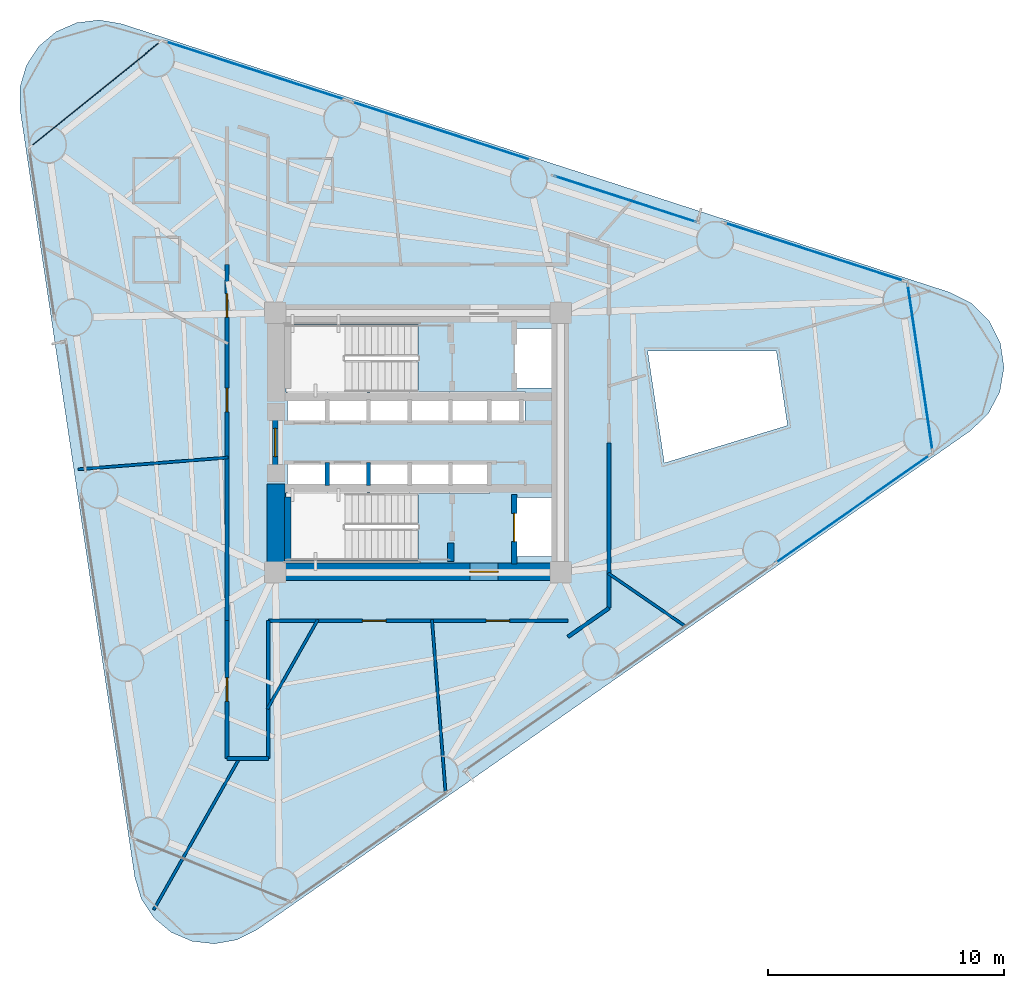
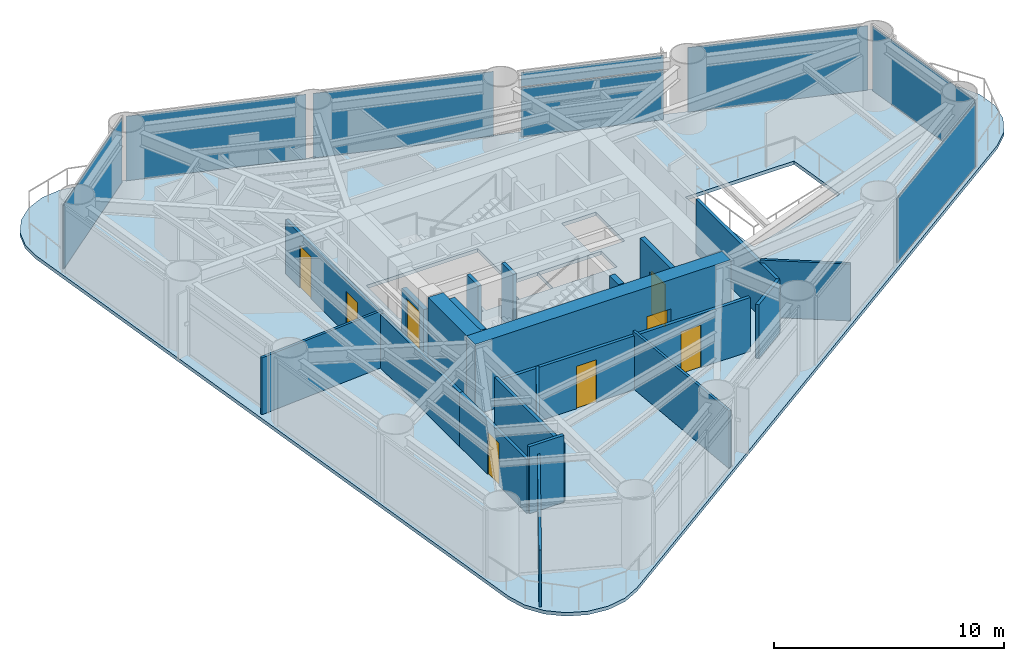
# One storey, part 5 of 9: 20 walls, 8 doors, 8 plates, 1 slab, 8 openings, 7 elements without a shape of their own.
"""IFC4 building model written with IfcOpenShell, lengths in metres."""

from ifc_helpers import new_model, si_unit, direction, frame, frame_2d, origin, origin_2d, place, context, subcontext, project, spatial, polyline, rectangle, outline, extrude, source, transform, mapped, material, layer, layer_set, type_object, element, fill, aggregate, save


model = new_model("IFC4")

# Units and contexts
model_context = context("Model", 3, precision=1e-05, world=origin(), true_north=direction((0.0, 1.0)))
body_context = subcontext(model_context, "Body", "Model", "MODEL_VIEW")
ifc_project = project(units=[si_unit("LENGTHUNIT", "METRE"), si_unit("AREAUNIT", "SQUARE_METRE"), si_unit("VOLUMEUNIT", "CUBIC_METRE"), si_unit("PLANEANGLEUNIT", "RADIAN"), si_unit("MASSUNIT", "GRAM", prefix="KILO")], contexts=[model_context])

# Site, building, storey
site_placement = place(None, origin())
site = spatial("IfcSite", under=ifc_project, at=site_placement, CompositionType="ELEMENT")
building_placement = place(site_placement, origin())
building = spatial("IfcBuilding", under=site, at=building_placement, Name="Yunling Apex Tower", CompositionType="ELEMENT")
storey_placement = place(building_placement, frame((0.0, 0.0, 69.800048828125)))
storey = spatial("IfcBuildingStorey", under=building, at=storey_placement, Name="L18", CompositionType="ELEMENT", Elevation=69.800048828125)

# Slab
ifc_material_1 = material(Name="Concrete C40", Category="concrete")
ifc_layer_1 = layer(ifc_material_1, 0.179931640625)
ifc_layer_set_1 = layer_set([ifc_layer_1], Name="Concrete C40")
slab_type = type_object("IfcSlabType", Name="SL-FLR-1", PredefinedType="FLOOR", material=ifc_layer_set_1)
slab_placement = place(storey_placement, frame((0.0, 0.0, -0.18505859375)))
element("IfcSlab", 1, at=slab_placement, inside=storey, type_object=slab_type, Name="L18 Composite Tower Floor Slab", PredefinedType="FLOOR", context=body_context, shape_type="SweptSolid", body=[
    extrude(outline(polyline([(-12.00732421875, -18.4326171875), (-11.730224609375, -19.349365234375), (-11.202392578125, -20.1484375), (-10.467529296875, -20.7626953125), (-9.587646484375, -21.14111328125), (-8.636474609375, -21.251708984375), (-7.693115234375, -21.08544921875), (-6.837158203125, -20.656005859375), (23.428955078125, 0.50537109375), (24.1796875, 1.231201171875), (24.6669921875, 2.155029296875), (24.842041015625, 3.184814453125), (24.687744140625, 4.217529296875), (24.21923828125, 5.15087890625), (23.483154296875, 5.89208984375), (22.552978515625, 6.36669921875), (-12.57763671875, 17.75439453125), (-13.521728515625, 17.914794921875), (-14.472412109375, 17.798095703125), (-15.349853515625, 17.414306640625), (-16.080810546875, 16.795166015625), (-16.603515625, 15.992919921875), (-16.875, 15.07421875), (-16.871826171875, 14.116455078125), (-12.00732421875, -18.4326171875)]), holes=[polyline([(15.192138671875, 3.88818359375), (15.6650390625, 0.723388671875), (10.442626953125, -0.865966796875), (9.733154296875, 3.88134765625), (15.192138671875, 3.88818359375)]), polyline([(5.81005859375, -2.320068359375), (5.81005859375, -4.840087890625), (4.090087890625, -4.840087890625), (4.090087890625, -2.320068359375), (5.81005859375, -2.320068359375)]), polyline([(5.81005859375, 4.840087890625), (5.81005859375, 2.320068359375), (4.090087890625, 2.320068359375), (4.090087890625, 4.840087890625), (5.81005859375, 4.840087890625)]), polyline([(4.534912109375, 0.794921875), (1.364990234375, 0.794921875), (1.364990234375, 2.1650390625), (4.534912109375, 2.1650390625), (4.534912109375, 0.794921875)]), polyline([(3.034912109375, -0.794921875), (3.034912109375, -2.1650390625), (1.364990234375, -2.1650390625), (1.364990234375, -0.794921875), (3.034912109375, -0.794921875)]), polyline([(-3.864990234375, -0.794921875), (-3.864990234375, -2.139892578125), (-3.8349609375, -2.139892578125), (-3.8349609375, -0.794921875), (-2.1650390625, -0.794921875), (-2.1650390625, -2.139892578125), (-2.034912109375, -2.139892578125), (-2.034912109375, -0.794921875), (-0.364990234375, -0.794921875), (-0.364990234375, -2.139892578125), (-0.3349609375, -2.139892578125), (-0.3349609375, -0.794921875), (1.3349609375, -0.794921875), (1.3349609375, -2.1650390625), (-0.010009765625, -2.1650390625), (-0.010009765625, -5.010009765625), (-5.60009765625, -5.010009765625), (-5.60009765625, -2.139892578125), (-5.534912109375, -2.139892578125), (-5.534912109375, -0.794921875), (-3.864990234375, -0.794921875)]), polyline([(-5.60009765625, 2.139892578125), (-5.60009765625, 5.010009765625), (-0.010009765625, 5.010009765625), (-0.010009765625, 2.1650390625), (1.3349609375, 2.1650390625), (1.3349609375, 0.794921875), (-0.3349609375, 0.794921875), (-0.3349609375, 2.139892578125), (-0.364990234375, 2.139892578125), (-0.364990234375, 0.794921875), (-2.034912109375, 0.794921875), (-2.034912109375, 2.139892578125), (-2.1650390625, 2.139892578125), (-2.1650390625, 0.794921875), (-3.8349609375, 0.794921875), (-3.8349609375, 2.139892578125), (-3.864990234375, 2.139892578125), (-3.864990234375, 0.794921875), (-5.534912109375, 0.794921875), (-5.534912109375, 2.139892578125), (-5.60009765625, 2.139892578125)])]), origin(), (0.0, 0.0, 1.0), 0.18505859375),
])

# Curtain wall, plates
ifc_material_2 = material(Name="Bronze anodised aluminium", Category="aluminium")
ifc_layer_2 = layer(ifc_material_2, 0.260009765625)
ifc_layer_set_2 = layer_set([ifc_layer_2], Name="Bronze anodised aluminium")
curtain_wall_type = type_object("IfcCurtainWallType", Name="CW-SYS-2", PredefinedType="NOTDEFINED", material=ifc_layer_set_2)
curtain_wall_1_placement = place(storey_placement, origin())
curtain_wall_1 = element("IfcCurtainWall", 2, at=curtain_wall_1_placement, inside=storey, type_object=curtain_wall_type, Name="CW-L18-F2-B2", PredefinedType="NOTDEFINED")
ifc_material_3 = material(Name="Bronze tinted low-E glass", Category="glass")
ifc_layer_3 = layer(ifc_material_3, 0.033935546875)
ifc_layer_set_3 = layer_set([ifc_layer_3], Name="Bronze tinted low-E glass")
plate_type = type_object("IfcPlateType", Name="CW-PNL-2", PredefinedType="CURTAIN_PANEL", material=ifc_layer_set_3)
shared_shape_1 = source(origin(), body_context, "Body", "SweptSolid", [
    extrude(rectangle(XDim=6.315673828125, YDim=0.033935546875, at=origin_2d()), origin(), (0.0, 0.0, 1.0), 2.60400390625),
])
plate_1_placement = place(storey_placement, frame((8.7919921875, 10.32275390625, 0.07666015625), z_axis=(0.0, 0.0, 1.0), x_axis=(-0.951272336999, 0.308351975608, 0.0)))
plate_1 = element("IfcPlate", 3, at=plate_1_placement, type_object=plate_type, Name="CW-SYS-2 panel 1.1", PredefinedType="CURTAIN_PANEL", context=body_context, shape_type="MappedRepresentation", body=[
    mapped(shared_shape_1, transform((0.0, 0.0, 0.0), scale=1.0)),
])
shared_shape_2 = source(origin(), body_context, "Body", "SweptSolid", [
    extrude(rectangle(XDim=6.315673828125, YDim=0.033935546875, at=origin_2d()), origin(), (0.0, 0.0, 1.0), 0.739013671875),
])
plate_2_placement = place(storey_placement, frame((8.7919921875, 10.32275390625, 2.7490234375), z_axis=(0.0, 0.0, 1.0), x_axis=(-0.951272336999, 0.308351975608, 0.0)))
plate_2 = element("IfcPlate", 4, at=plate_2_placement, type_object=plate_type, Name="CW-SYS-2 panel 1.2", PredefinedType="CURTAIN_PANEL", context=body_context, shape_type="MappedRepresentation", body=[
    mapped(shared_shape_2, transform((0.0, 0.0, 0.0), scale=1.0)),
])
aggregate(curtain_wall_1, [plate_1, plate_2])

# Curtain wall, plate
curtain_wall_2_placement = place(storey_placement, origin())
curtain_wall_2 = element("IfcCurtainWall", 5, at=curtain_wall_2_placement, inside=storey, type_object=curtain_wall_type, Name="CW-L18-F1-B4", PredefinedType="NOTDEFINED")
shared_shape_3 = source(origin(), body_context, "Body", "SweptSolid", [
    extrude(rectangle(XDim=7.995849609375, YDim=0.033935546875, at=origin_2d()), origin(), (0.0, 0.0, 1.0), 3.41162109375),
])
plate_3_placement = place(storey_placement, frame((18.430419921875, -2.818603515625, 0.07666015625), z_axis=(0.0, 0.0, 1.0), x_axis=(0.819552319691, 0.573004358875, 0.0)))
plate_3 = element("IfcPlate", 6, at=plate_3_placement, type_object=plate_type, Name="CW-SYS-2 panel 1.1", PredefinedType="CURTAIN_PANEL", context=body_context, shape_type="MappedRepresentation", body=[
    mapped(shared_shape_3, transform((0.0, 0.0, 0.0), scale=1.0)),
])
aggregate(curtain_wall_2, [plate_3])

curtain_wall_3_placement = place(storey_placement, origin())
curtain_wall_3 = element("IfcCurtainWall", 7, at=curtain_wall_3_placement, inside=storey, type_object=curtain_wall_type, Name="CW-L18-F2-B1", PredefinedType="NOTDEFINED")
plate_4_placement = place(storey_placement, frame((16.801025390625, 8.083984375, 0.07666015625), z_axis=(0.0, 0.0, 1.0), x_axis=(-0.951270593784, 0.30835735341, 0.0)))
plate_4 = element("IfcPlate", 8, at=plate_4_placement, type_object=plate_type, Name="CW-SYS-2 panel 1.1", PredefinedType="CURTAIN_PANEL", context=body_context, shape_type="MappedRepresentation", body=[
    mapped(shared_shape_3, transform((0.0, 0.0, 0.0), scale=1.0)),
])
aggregate(curtain_wall_3, [plate_4])

curtain_wall_4_placement = place(storey_placement, origin())
curtain_wall_4 = element("IfcCurtainWall", 9, at=curtain_wall_4_placement, inside=storey, type_object=curtain_wall_type, Name="CW-L18-F2-B3", PredefinedType="NOTDEFINED")
plate_5_placement = place(storey_placement, frame((0.9921875, 13.20849609375, 0.07666015625), z_axis=(0.0, 0.0, 1.0), x_axis=(-0.951266994272, 0.308368457544, 0.0)))
plate_5 = element("IfcPlate", 10, at=plate_5_placement, type_object=plate_type, Name="CW-SYS-2 panel 1.1", PredefinedType="CURTAIN_PANEL", context=body_context, shape_type="MappedRepresentation", body=[
    mapped(shared_shape_3, transform((0.0, 0.0, 0.0), scale=1.0)),
])
aggregate(curtain_wall_4, [plate_5])

curtain_wall_5_placement = place(storey_placement, origin())
curtain_wall_5 = element("IfcCurtainWall", 11, at=curtain_wall_5_placement, inside=storey, type_object=curtain_wall_type, Name="CW-L18-F2-B4", PredefinedType="NOTDEFINED")
plate_6_placement = place(storey_placement, frame((-6.912109375, 15.770751953125, 0.07666015625), z_axis=(0.0, 0.0, 1.0), x_axis=(-0.951270593784, 0.30835735341, 0.0)))
plate_6 = element("IfcPlate", 12, at=plate_6_placement, type_object=plate_type, Name="CW-SYS-2 panel 1.1", PredefinedType="CURTAIN_PANEL", context=body_context, shape_type="MappedRepresentation", body=[
    mapped(shared_shape_3, transform((0.0, 0.0, 0.0), scale=1.0)),
])
aggregate(curtain_wall_5, [plate_6])

curtain_wall_6_placement = place(storey_placement, origin())
curtain_wall_6 = element("IfcCurtainWall", 13, at=curtain_wall_6_placement, inside=storey, type_object=curtain_wall_type, Name="CW-L18-CRN1", PredefinedType="NOTDEFINED")
shared_shape_4 = source(origin(), body_context, "Body", "SweptSolid", [
    extrude(rectangle(XDim=7.132080078125, YDim=0.033935546875, at=origin_2d()), origin(), (0.0, 0.0, 1.0), 3.41162109375),
])
plate_7_placement = place(storey_placement, frame((21.28564453125, 3.18115234375, 0.07666015625), z_axis=(0.0, 0.0, 1.0), x_axis=(-0.147798115278, 0.989017551472, 0.0)))
plate_7 = element("IfcPlate", 14, at=plate_7_placement, type_object=plate_type, Name="CW-SYS-2 panel 1.1", PredefinedType="CURTAIN_PANEL", context=body_context, shape_type="MappedRepresentation", body=[
    mapped(shared_shape_4, transform((0.0, 0.0, 0.0), scale=1.0)),
])
aggregate(curtain_wall_6, [plate_7])

curtain_wall_7_placement = place(storey_placement, origin())
curtain_wall_7 = element("IfcCurtainWall", 15, at=curtain_wall_7_placement, inside=storey, type_object=curtain_wall_type, Name="CW-L18-CRN2", PredefinedType="NOTDEFINED")
shared_shape_5 = source(origin(), body_context, "Body", "SweptSolid", [
    extrude(rectangle(XDim=7.043212890625, YDim=0.033935546875, at=origin_2d()), origin(), (0.0, 0.0, 1.0), 3.41162109375),
])
plate_8_placement = place(storey_placement, frame((-13.67041015625, 14.772705078125, 0.07666015625), z_axis=(0.0, 0.0, 1.0), x_axis=(-0.778148820322, -0.628079941911, 0.0)))
plate_8 = element("IfcPlate", 16, at=plate_8_placement, type_object=plate_type, Name="CW-SYS-2 panel 1.1", PredefinedType="CURTAIN_PANEL", context=body_context, shape_type="MappedRepresentation", body=[
    mapped(shared_shape_5, transform((0.0, 0.0, 0.0), scale=1.0)),
])
aggregate(curtain_wall_7, [plate_8])

# Wall, opening, door
ifc_material_4 = material(Name="Concrete C60", Category="concrete")
ifc_layer_4 = layer(ifc_material_4, 0.75)
ifc_layer_set_4 = layer_set([ifc_layer_4], Name="Concrete C60")
wall_type_1 = type_object("IfcWallType", Name="WL-COR-1", PredefinedType="SHEAR", material=ifc_layer_set_4)
wall_1_placement = place(storey_placement, frame((-6.39990234375, -5.47509765625, 0.0), z_axis=(0.0, 0.0, 1.0), x_axis=(1.0, 0.0, 0.0)))
wall_1 = element("IfcWall", 17, at=wall_1_placement, inside=storey, type_object=wall_type_1, Name="L18 South Core Shear Wall", PredefinedType="SHEAR", context=body_context, shape_type="SweptSolid", body=[
    extrude(rectangle(XDim=12.7998046875, YDim=0.75, at=frame_2d((6.39990234375, 0.0))), origin(), (0.0, 0.0, 1.0), 3.75),
])
opening_1_placement = place(wall_1_placement, frame((8.60009765625, 0.0, 0.0)))
opening_1 = element("IfcOpeningElement", 18, at=opening_1_placement, cuts=wall_1, Name="Opening DR-FFL-1", PredefinedType="OPENING", context=body_context, shape_type="SweptSolid", body=[
    extrude(rectangle(XDim=1.199951171875, YDim=2.199951171875, at=frame_2d((0.60009765625, 1.10009765625))), frame((0.0, 0.385009765625, 0.0), z_axis=(0.0, -1.0, 0.0), x_axis=(1.0, 0.0, 0.0)), (0.0, 0.0, 1.0), 0.77001953125),
])
ifc_material_5 = material(Name="Steel Q355B", Category="steel")
door_type_1 = type_object("IfcDoorType", Name="DR-FFL-1", OperationType="NOTDEFINED", PredefinedType="DOOR", material=ifc_material_5)
door_1_placement = place(opening_1_placement, origin())
door_1 = element("IfcDoor", 19, at=door_1_placement, inside=storey, type_object=door_type_1, Name="L18 South Firefighting Lobby Door", OperationType="SINGLE_SWING_RIGHT", OverallHeight=2.199951171875, OverallWidth=1.199951171875, PredefinedType="DOOR", context=body_context, shape_type="SweptSolid", body=[
    extrude(rectangle(XDim=1.199951171875, YDim=2.199951171875, at=frame_2d((0.60009765625, 1.10009765625))), frame((0.0, 0.02490234375, 0.0), z_axis=(0.0, -1.0, 0.0), x_axis=(1.0, 0.0, 0.0)), (0.0, 0.0, 1.0), 0.050048828125),
])
fill(opening_1, door_1)

# Walls
wall_2_placement = place(storey_placement, frame((-6.02490234375, -5.10009765625, 0.0), z_axis=(0.0, 0.0, 1.0), x_axis=(0.0, 1.0, 0.0)))
element("IfcWall", 20, at=wall_2_placement, inside=storey, type_object=wall_type_1, Name="L18 West-South Core Shear Wall", PredefinedType="SHEAR", context=body_context, shape_type="SweptSolid", body=[
    extrude(rectangle(XDim=3.35009765625, YDim=0.75, at=frame_2d((1.675048828125, 0.0))), origin(), (0.0, 0.0, 1.0), 3.75),
])
ifc_layer_5 = layer(ifc_material_1, 0.280029296875)
ifc_layer_set_5 = layer_set([ifc_layer_5], Name="Concrete C40")
wall_type_2 = type_object("IfcWallType", Name="WL-COR-8", PredefinedType="SHEAR", material=ifc_layer_set_5)
wall_3_placement = place(storey_placement, frame((-5.52001953125, -5.050048828125, 0.0), z_axis=(0.0, 0.0, 1.0), x_axis=(0.0, 1.0, 0.0)))
element("IfcWall", 21, at=wall_3_placement, inside=storey, type_object=wall_type_2, Name="L18 ST-2 West Landing Bearing Wall", PredefinedType="SHEAR", context=body_context, shape_type="SweptSolid", body=[
    extrude(rectangle(XDim=2.75, YDim=0.280029296875, at=frame_2d((1.375, 0.0))), origin(), (0.0, 0.0, 1.0), 3.75),
])
wall_4_placement = place(storey_placement, frame((1.3798828125, -5.050048828125, 0.0), z_axis=(0.0, 0.0, 1.0), x_axis=(0.0, 1.0, 0.0)))
element("IfcWall", 22, at=wall_4_placement, inside=storey, type_object=wall_type_2, Name="L18 ST-2 East Landing Bearing Pier", PredefinedType="SHEAR", context=body_context, shape_type="SweptSolid", body=[
    extrude(rectangle(XDim=0.800048828125, YDim=0.280029296875, at=frame_2d((0.39990234375, 0.0))), origin(), (0.0, 0.0, 1.0), 3.75),
])

# Wall, opening, door
ifc_material_6 = material(Name="Gypsum board acoustic partition")
ifc_layer_6 = layer(ifc_material_6, 0.159912109375)
ifc_layer_set_6 = layer_set([ifc_layer_6], Name="Gypsum board acoustic partition")
wall_type_3 = type_object("IfcWallType", Name="WL-PRT-1", PredefinedType="PARTITIONING", material=ifc_layer_set_6)
wall_5_placement = place(storey_placement, frame((-8.10009765625, -13.39990234375, 0.0), z_axis=(0.0, 0.0, 1.0), x_axis=(0.0, 1.0, 0.0)))
wall_5 = element("IfcWall", 23, at=wall_5_placement, inside=storey, type_object=wall_type_3, Name="WL-CORR-L18-01", PredefinedType="PARTITIONING", context=body_context, shape_type="SweptSolid", body=[
    extrude(rectangle(XDim=5.849853515625, YDim=0.159912109375, at=frame_2d((2.9248046875, 0.0))), origin(), (0.0, 0.0, 1.0), 2.849853515625),
])
opening_2_placement = place(wall_5_placement, frame((2.425048828125, 0.0, 0.0)))
opening_2 = element("IfcOpeningElement", 24, at=opening_2_placement, cuts=wall_5, Name="Opening DR-OFF-1", PredefinedType="OPENING", context=body_context, shape_type="SweptSolid", body=[
    extrude(rectangle(XDim=1.0, YDim=2.25, at=frame_2d((0.5, 1.125))), frame((0.0, 0.08984375, 0.0), z_axis=(0.0, -1.0, 0.0), x_axis=(1.0, 0.0, 0.0)), (0.0, 0.0, 1.0), 0.179931640625),
])
door_type_2 = type_object("IfcDoorType", Name="DR-OFF-1", OperationType="NOTDEFINED", PredefinedType="DOOR", material=ifc_material_2)
door_2_placement = place(opening_2_placement, origin())
door_2 = element("IfcDoor", 25, at=door_2_placement, inside=storey, type_object=door_type_2, Name="L18 Client Reception Foyer Door", OperationType="SINGLE_SWING_RIGHT", OverallHeight=2.25, OverallWidth=1.0, PredefinedType="DOOR", context=body_context, shape_type="SweptSolid", body=[
    extrude(rectangle(XDim=1.0, YDim=2.25, at=frame_2d((0.5, 1.125))), frame((0.0, 0.02490234375, 0.0), z_axis=(0.0, -1.0, 0.0), x_axis=(1.0, 0.0, 0.0)), (0.0, 0.0, 1.0), 0.050048828125),
])
fill(opening_2, door_2)

# Wall, openings, doors
wall_6_placement = place(storey_placement, frame((-8.10009765625, -7.550048828125, 0.0), z_axis=(0.0, 0.0, 1.0), x_axis=(0.0, 1.0, 0.0)))
wall_6 = element("IfcWall", 26, at=wall_6_placement, inside=storey, type_object=wall_type_3, Name="WL-CORR-L18-02", PredefinedType="PARTITIONING", context=body_context, shape_type="SweptSolid", body=[
    extrude(rectangle(XDim=15.10009765625, YDim=0.159912109375, at=frame_2d((7.550048828125, 0.0))), origin(), (0.0, 0.0, 1.0), 2.849853515625),
])
opening_3_placement = place(wall_6_placement, frame((8.855224609375, 0.0, 0.0)))
opening_3 = element("IfcOpeningElement", 27, at=opening_3_placement, cuts=wall_6, Name="Opening DR-OFF-1", PredefinedType="OPENING", context=body_context, shape_type="SweptSolid", body=[
    extrude(rectangle(XDim=1.0, YDim=2.25, at=frame_2d((0.5, 1.125))), frame((0.0, 0.08984375, 0.0), z_axis=(0.0, -1.0, 0.0), x_axis=(1.0, 0.0, 0.0)), (0.0, 0.0, 1.0), 0.179931640625),
])
opening_4_placement = place(wall_6_placement, frame((12.864990234375, 0.0, 0.0)))
opening_4 = element("IfcOpeningElement", 28, at=opening_4_placement, cuts=wall_6, Name="Opening DR-OFF-1", PredefinedType="OPENING", context=body_context, shape_type="SweptSolid", body=[
    extrude(rectangle(XDim=1.0, YDim=2.25, at=frame_2d((0.5, 1.125))), frame((0.0, 0.08984375, 0.0), z_axis=(0.0, -1.0, 0.0), x_axis=(1.0, 0.0, 0.0)), (0.0, 0.0, 1.0), 0.179931640625),
])
door_3_placement = place(opening_3_placement, origin())
door_3 = element("IfcDoor", 29, at=door_3_placement, inside=storey, type_object=door_type_2, Name="L18 Client Reception Foyer Door", OperationType="SINGLE_SWING_LEFT", OverallHeight=2.25, OverallWidth=1.0, PredefinedType="DOOR", context=body_context, shape_type="SweptSolid", body=[
    extrude(rectangle(XDim=1.0, YDim=2.25, at=frame_2d((0.5, 1.125))), frame((0.0, 0.02490234375, 0.0), z_axis=(0.0, -1.0, 0.0), x_axis=(1.0, 0.0, 0.0)), (0.0, 0.0, 1.0), 0.050048828125),
])
fill(opening_3, door_3)
door_4_placement = place(opening_4_placement, origin())
door_4 = element("IfcDoor", 30, at=door_4_placement, inside=storey, type_object=door_type_2, Name="L18 Service Foyer Lounge Door", OperationType="SINGLE_SWING_RIGHT", OverallHeight=2.25, OverallWidth=1.0, PredefinedType="DOOR", context=body_context, shape_type="SweptSolid", body=[
    extrude(rectangle(XDim=1.0, YDim=2.25, at=frame_2d((0.5, 1.125))), frame((0.0, 0.02490234375, 0.0), z_axis=(0.0, -1.0, 0.0), x_axis=(1.0, 0.0, 0.0)), (0.0, 0.0, 1.0), 0.050048828125),
])
fill(opening_4, door_4)

# Walls
wall_7_placement = place(storey_placement, frame((8.10009765625, -0.02001953125, 0.0), z_axis=(0.0, 0.0, 1.0), x_axis=(0.0, -1.0, 0.0)))
element("IfcWall", 31, at=wall_7_placement, inside=storey, type_object=wall_type_3, Name="WL-CORR-L18-12", PredefinedType="PARTITIONING", context=body_context, shape_type="SweptSolid", body=[
    extrude(rectangle(XDim=6.995361328125, YDim=0.159912109375, at=frame_2d((3.49755859375, 0.0))), origin(), (0.0, 0.0, 1.0), 2.849853515625),
])
wall_8_placement = place(storey_placement, frame((8.10009765625, -7.015380859375, 0.0), z_axis=(0.0, 0.0, 1.0), x_axis=(-0.81953260104, -0.573032560883, 0.0)))
element("IfcWall", 32, at=wall_8_placement, inside=storey, type_object=wall_type_3, Name="WL-CORR-L18-13", PredefinedType="PARTITIONING", context=body_context, shape_type="SweptSolid", body=[
    extrude(rectangle(XDim=2.13525390625, YDim=0.159912109375, at=frame_2d((1.067626953125, 0.0))), origin(), (0.0, 0.0, 1.0), 2.849853515625),
])

# Wall, openings, doors
wall_9_placement = place(storey_placement, frame((6.35009765625, -7.550048828125, 0.0), z_axis=(0.0, 0.0, 1.0), x_axis=(-1.0, 0.0, 0.0)))
wall_9 = element("IfcWall", 33, at=wall_9_placement, inside=storey, type_object=wall_type_3, Name="WL-CORR-L18-15", PredefinedType="PARTITIONING", context=body_context, shape_type="SweptSolid", body=[
    extrude(rectangle(XDim=12.7001953125, YDim=0.159912109375, at=frame_2d((6.35009765625, 0.0))), origin(), (0.0, 0.0, 1.0), 2.849853515625),
])
opening_5_placement = place(wall_9_placement, frame((2.46875, 0.0, 0.0)))
opening_5 = element("IfcOpeningElement", 34, at=opening_5_placement, cuts=wall_9, Name="Opening DR-OFF-1", PredefinedType="OPENING", context=body_context, shape_type="SweptSolid", body=[
    extrude(rectangle(XDim=1.0, YDim=2.25, at=frame_2d((0.5, 1.125))), frame((0.0, 0.08984375, 0.0), z_axis=(0.0, -1.0, 0.0), x_axis=(1.0, 0.0, 0.0)), (0.0, 0.0, 1.0), 0.179931640625),
])
opening_6_placement = place(wall_9_placement, frame((7.70654296875, 0.0, 0.0)))
opening_6 = element("IfcOpeningElement", 35, at=opening_6_placement, cuts=wall_9, Name="Opening DR-OFF-1", PredefinedType="OPENING", context=body_context, shape_type="SweptSolid", body=[
    extrude(rectangle(XDim=1.0, YDim=2.25, at=frame_2d((0.5, 1.125))), frame((0.0, 0.08984375, 0.0), z_axis=(0.0, -1.0, 0.0), x_axis=(1.0, 0.0, 0.0)), (0.0, 0.0, 1.0), 0.179931640625),
])
door_5_placement = place(opening_5_placement, origin())
door_5 = element("IfcDoor", 36, at=door_5_placement, inside=storey, type_object=door_type_2, Name="L18 Client Reception Foyer Door", OperationType="SINGLE_SWING_RIGHT", OverallHeight=2.25, OverallWidth=1.0, PredefinedType="DOOR", context=body_context, shape_type="SweptSolid", body=[
    extrude(rectangle(XDim=1.0, YDim=2.25, at=frame_2d((0.5, 1.125))), frame((0.0, 0.02490234375, 0.0), z_axis=(0.0, -1.0, 0.0), x_axis=(1.0, 0.0, 0.0)), (0.0, 0.0, 1.0), 0.050048828125),
])
fill(opening_5, door_5)
door_6_placement = place(opening_6_placement, origin())
door_6 = element("IfcDoor", 37, at=door_6_placement, inside=storey, type_object=door_type_2, Name="L18 Client Reception Foyer Door", OperationType="SINGLE_SWING_LEFT", OverallHeight=2.25, OverallWidth=1.0, PredefinedType="DOOR", context=body_context, shape_type="SweptSolid", body=[
    extrude(rectangle(XDim=1.0, YDim=2.25, at=frame_2d((0.5, 1.125))), frame((0.0, 0.02490234375, 0.0), z_axis=(0.0, -1.0, 0.0), x_axis=(1.0, 0.0, 0.0)), (0.0, 0.0, 1.0), 0.050048828125),
])
fill(opening_6, door_6)

# Walls
wall_10_placement = place(storey_placement, frame((-6.35009765625, -7.550048828125, 0.0), z_axis=(0.0, 0.0, 1.0), x_axis=(0.0, -1.0, 0.0)))
element("IfcWall", 38, at=wall_10_placement, inside=storey, type_object=wall_type_3, Name="WL-CORR-L18-16", PredefinedType="PARTITIONING", context=body_context, shape_type="SweptSolid", body=[
    extrude(rectangle(XDim=5.849853515625, YDim=0.159912109375, at=frame_2d((2.9248046875, 0.0))), origin(), (0.0, 0.0, 1.0), 3.050048828125),
])
wall_11_placement = place(storey_placement, frame((-6.35009765625, -13.39990234375, 0.0), z_axis=(0.0, 0.0, 1.0), x_axis=(-1.0, 0.0, 0.0)))
element("IfcWall", 39, at=wall_11_placement, inside=storey, type_object=wall_type_3, Name="WL-CORR-L18-17", PredefinedType="PARTITIONING", context=body_context, shape_type="SweptSolid", body=[
    extrude(rectangle(XDim=1.75, YDim=0.159912109375, at=frame_2d((0.875, 0.0))), origin(), (0.0, 0.0, 1.0), 3.544921875),
])
ifc_layer_7 = layer(ifc_material_6, 0.1201171875)
ifc_layer_set_7 = layer_set([ifc_layer_7], Name="Gypsum board acoustic partition")
wall_type_4 = type_object("IfcWallType", Name="WL-PRT-3", PredefinedType="PARTITIONING", material=ifc_layer_set_7)
wall_12_placement = place(storey_placement, frame((-8.06005859375, -0.63427734375, 0.0), z_axis=(0.0, 0.0, 1.0), x_axis=(-0.996917899667, -0.078451904529, 0.0)))
element("IfcWall", 40, at=wall_12_placement, inside=storey, type_object=wall_type_4, Name="WL-RAD-L18-03", PredefinedType="PARTITIONING", context=body_context, shape_type="SweptSolid", body=[
    extrude(rectangle(XDim=6.3701171875, YDim=0.1201171875, at=frame_2d((3.18505859375, 0.0))), origin(), (0.0, 0.0, 1.0), 3.010009765625),
])
wall_13_placement = place(storey_placement, frame((-4.2490234375, -7.510009765625, 0.0), z_axis=(0.0, 0.0, 1.0), x_axis=(-0.492403224766, -0.870367200807, 0.0)))
element("IfcWall", 41, at=wall_13_placement, inside=storey, type_object=wall_type_4, Name="WL-RAD-L18-04", PredefinedType="PARTITIONING", context=body_context, shape_type="SweptSolid", body=[
    extrude(rectangle(XDim=4.347900390625, YDim=0.1201171875, at=frame_2d((2.173828125, 0.0))), origin(), (0.0, 0.0, 1.0), 2.849853515625),
])
wall_14_placement = place(storey_placement, frame((-7.55859375, -13.360107421875, 0.0), z_axis=(0.0, 0.0, 1.0), x_axis=(-0.492445728691, -0.870343153184, 0.0)))
element("IfcWall", 42, at=wall_14_placement, inside=storey, type_object=wall_type_4, Name="WL-RAD-L18-05", PredefinedType="PARTITIONING", context=body_context, shape_type="SweptSolid", body=[
    extrude(rectangle(XDim=7.412841796875, YDim=0.1201171875, at=frame_2d((3.70654296875, 0.0))), origin(), (0.0, 0.0, 1.0), 3.010009765625),
])
wall_15_placement = place(storey_placement, frame((0.591064453125, -7.510009765625, 0.0), z_axis=(0.0, 0.0, 1.0), x_axis=(0.078466268921, -0.996916769165, 0.0)))
element("IfcWall", 43, at=wall_15_placement, inside=storey, type_object=wall_type_4, Name="WL-RAD-L18-06", PredefinedType="PARTITIONING", context=body_context, shape_type="SweptSolid", body=[
    extrude(rectangle(XDim=7.352294921875, YDim=0.1201171875, at=frame_2d((3.67626953125, 0.0))), origin(), (0.0, 0.0, 1.0), 3.050048828125),
])
wall_16_placement = place(storey_placement, frame((8.06005859375, -5.53955078125, 0.0), z_axis=(0.0, 0.0, 1.0), x_axis=(0.824103676806, -0.566438990426, 0.0)))
element("IfcWall", 44, at=wall_16_placement, inside=storey, type_object=wall_type_4, Name="WL-RAD-L18-07", PredefinedType="PARTITIONING", context=body_context, shape_type="SweptSolid", body=[
    extrude(rectangle(XDim=3.921875, YDim=0.1201171875, at=frame_2d((1.9609375, 0.0))), origin(), (0.0, 0.0, 1.0), 3.010009765625),
])

# Wall, opening, door
ifc_material_7 = material(Name="Autoclaved aerated concrete masonry", Category="masonry")
ifc_layer_8 = layer(ifc_material_7, 0.219970703125)
ifc_layer_set_8 = layer_set([ifc_layer_8], Name="Autoclaved aerated concrete masonry")
wall_type_5 = type_object("IfcWallType", Name="WL-SHF-1", PredefinedType="PLUMBINGWALL", material=ifc_layer_set_8)
wall_17_placement = place(storey_placement, frame((-6.050048828125, -0.949951171875, 0.0), z_axis=(0.0, 0.0, 1.0), x_axis=(0.0, 1.0, 0.0)))
wall_17 = element("IfcWall", 45, at=wall_17_placement, inside=storey, type_object=wall_type_5, Name="WL-COR-WPORT-L18", PredefinedType="PLUMBINGWALL", context=body_context, shape_type="SweptSolid", body=[
    extrude(rectangle(XDim=1.89990234375, YDim=0.219970703125, at=frame_2d((0.949951171875, 0.0))), origin(), (0.0, 0.0, 1.0), 2.52490234375),
])
opening_7_placement = place(wall_17_placement, frame((0.35009765625, 0.0, 0.0)))
opening_7 = element("IfcOpeningElement", 46, at=opening_7_placement, cuts=wall_17, Name="Opening DR-FFL-1", PredefinedType="OPENING", context=body_context, shape_type="SweptSolid", body=[
    extrude(rectangle(XDim=1.199951171875, YDim=2.199951171875, at=frame_2d((0.60009765625, 1.10009765625))), frame((0.0, 0.1201171875, 0.0), z_axis=(0.0, -1.0, 0.0), x_axis=(1.0, 0.0, 0.0)), (0.0, 0.0, 1.0), 0.239990234375),
])
door_7_placement = place(opening_7_placement, origin())
door_7 = element("IfcDoor", 47, at=door_7_placement, inside=storey, type_object=door_type_1, Name="L18 Passenger Lift Lobby Entrance Door", OperationType="SINGLE_SWING_LEFT", OverallHeight=2.199951171875, OverallWidth=1.199951171875, PredefinedType="DOOR", context=body_context, shape_type="SweptSolid", body=[
    extrude(rectangle(XDim=1.199951171875, YDim=2.199951171875, at=frame_2d((0.60009765625, 1.10009765625))), frame((0.0, 0.02490234375, 0.0), z_axis=(0.0, -1.0, 0.0), x_axis=(1.0, 0.0, 0.0)), (0.0, 0.0, 1.0), 0.050048828125),
])
fill(opening_7, door_7)

wall_18_placement = place(storey_placement, frame((4.080078125, -5.14990234375, 0.0), z_axis=(0.0, 0.0, 1.0), x_axis=(0.0, 1.0, 0.0)))
wall_18 = element("IfcWall", 48, at=wall_18_placement, inside=storey, type_object=wall_type_5, Name="WL-FFL2-W-L18", PredefinedType="PLUMBINGWALL", context=body_context, shape_type="SweptSolid", body=[
    extrude(rectangle(XDim=2.949951171875, YDim=0.219970703125, at=frame_2d((1.47509765625, 0.0))), origin(), (0.0, 0.0, 1.0), 3.544921875),
])
opening_8_placement = place(wall_18_placement, frame((0.949951171875, 0.0, 0.0)))
opening_8 = element("IfcOpeningElement", 49, at=opening_8_placement, cuts=wall_18, Name="Opening LD-FFL-1", PredefinedType="OPENING", context=body_context, shape_type="SweptSolid", body=[
    extrude(rectangle(XDim=1.199951171875, YDim=2.25, at=frame_2d((0.60009765625, 1.125))), frame((0.0, 0.1201171875, 0.0), z_axis=(0.0, -1.0, 0.0), x_axis=(1.0, 0.0, 0.0)), (0.0, 0.0, 1.0), 0.239990234375),
])
door_type_3 = type_object("IfcDoorType", Name="LD-FFL-1", OperationType="DOUBLE_DOOR_SLIDING", PredefinedType="DOOR", material=ifc_material_5)
door_8_placement = place(opening_8_placement, origin())
door_8 = element("IfcDoor", 50, at=door_8_placement, inside=storey, type_object=door_type_3, Name="L18 Lift FFL-2 Landing Door", OperationType="DOUBLE_DOOR_SLIDING", OverallHeight=2.25, OverallWidth=1.199951171875, PredefinedType="DOOR", context=body_context, shape_type="SweptSolid", body=[
    extrude(rectangle(XDim=1.199951171875, YDim=2.25, at=frame_2d((0.60009765625, 1.125))), frame((0.0, 0.02490234375, 0.0), z_axis=(0.0, -1.0, 0.0), x_axis=(1.0, 0.0, 0.0)), (0.0, 0.0, 1.0), 0.050048828125),
])
fill(opening_8, door_8)

# Walls
ifc_layer_9 = layer(ifc_material_7, 0.179931640625)
ifc_layer_set_9 = layer_set([ifc_layer_9], Name="Autoclaved aerated concrete masonry")
wall_type_6 = type_object("IfcWallType", Name="WL-SHF-2", PredefinedType="PLUMBINGWALL", material=ifc_layer_set_9)
for number, where, z_axis, x_axis, name in (
    (51, (-3.85009765625, -1.820068359375, 0.0), (0.0, 0.0, 1.0), (0.0, 1.0, 0.0), "WL-DIV-L34-L18"),
    (52, (-2.10009765625, -1.820068359375, 0.0), (0.0, 0.0, 1.0), (0.0, 1.0, 0.0), "WL-BNK-LM-S-L18"),
):
    element("IfcWall", number, at=place(storey_placement, frame(where, z_axis=z_axis, x_axis=x_axis)), inside=storey, type_object=wall_type_6, Name=name, PredefinedType="PLUMBINGWALL", context=body_context, shape_type="SweptSolid", body=[
        extrude(rectangle(XDim=0.97998046875, YDim=0.179931640625, at=frame_2d((0.489990234375, 0.0))), origin(), (0.0, 0.0, 1.0), 3.544921875),
    ])

save(model, "model.ifc")
